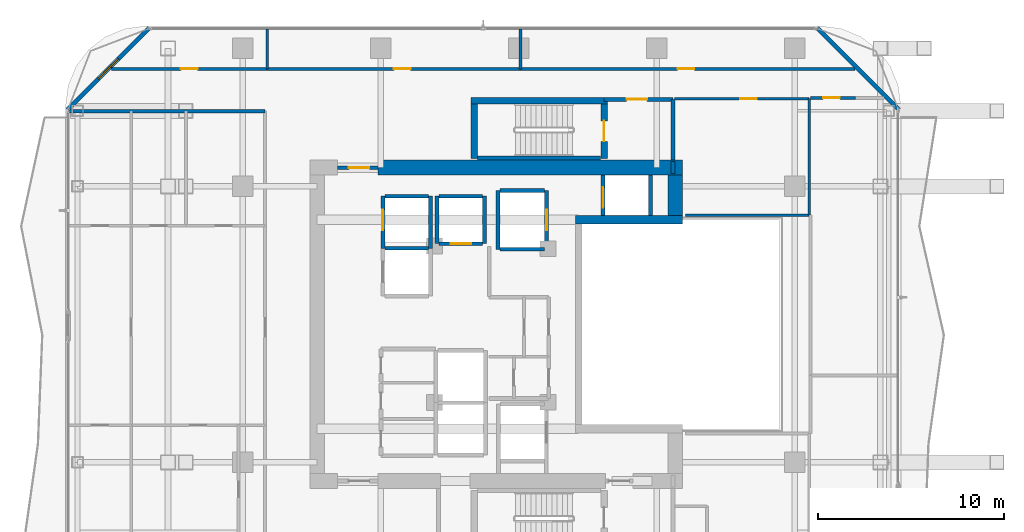
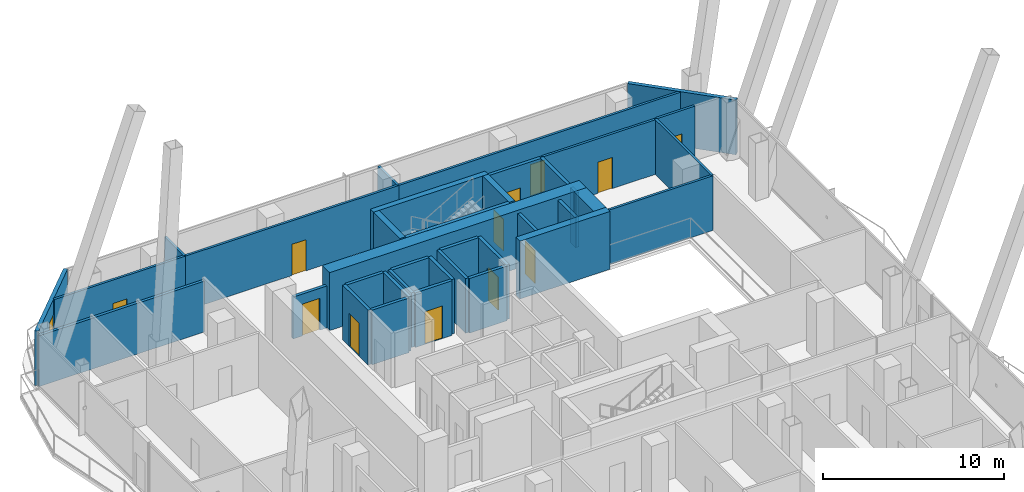
# One storey, part 23 of 27: 37 walls, 12 doors, 1 window, 13 openings.
"""IFC4 building model written with IfcOpenShell, lengths in metres."""

from ifc_helpers import new_model, si_unit, direction, frame, frame_2d, origin, place, context, subcontext, project, spatial, rectangle, extrude, material, layer, layer_set, type_object, element, fill, save


model = new_model("IFC4")

# Units and contexts
model_context = context("Model", 3, precision=1e-05, world=origin(), true_north=direction((0.0, 1.0)))
body_context = subcontext(model_context, "Body", "Model", "MODEL_VIEW")
ifc_project = project(units=[si_unit("LENGTHUNIT", "METRE"), si_unit("AREAUNIT", "SQUARE_METRE"), si_unit("VOLUMEUNIT", "CUBIC_METRE"), si_unit("PLANEANGLEUNIT", "RADIAN"), si_unit("MASSUNIT", "GRAM", prefix="KILO")], contexts=[model_context])

# Site, building, storey
site_placement = place(None, origin())
site = spatial("IfcSite", under=ifc_project, at=site_placement, CompositionType="ELEMENT")
building_placement = place(site_placement, origin())
building = spatial("IfcBuilding", under=site, at=building_placement, Name="Khorvyn Point Tower", CompositionType="ELEMENT")
storey_placement = place(building_placement, frame((0.0, 0.0, 203.10009765625)))
storey = spatial("IfcBuildingStorey", under=building, at=storey_placement, Name="L50", CompositionType="ELEMENT", Elevation=203.10009765625)

# Wall
ifc_material_1 = material(Name="Double acoustic gypsum on twin steel stud", Category="steel")
ifc_layer_1 = layer(ifc_material_1, 0.179931640625)
ifc_layer_set_1 = layer_set([ifc_layer_1], Name="Acoustic Double-Stud Apartment Demising Wall 180")
wall_type_1 = type_object("IfcWallType", Name="Acoustic Double-Stud Apartment Demising Wall 180", PredefinedType="PARTITIONING", material=ifc_layer_set_1)
wall_1_placement = place(storey_placement, frame((-24.1298828125, 11.429931640625, 0.0), z_axis=(0.0, 0.0, 1.0), x_axis=(1.0, 0.0, 0.0)))
element("IfcWall", 1, at=wall_1_placement, inside=storey, type_object=wall_type_1, Name="Wall", PredefinedType="PARTITIONING", context=body_context, shape_type="SweptSolid", body=[
    extrude(rectangle(XDim=10.52978515625, YDim=0.179931640625, at=frame_2d((5.264892578125, 0.0))), origin(), (0.0, 0.0, 1.0), 3.419921875),
])

# Wall, opening, window
ifc_material_2 = material(Name="Pale anodised aluminium rainscreen on steel stud", Category="steel")
ifc_layer_2 = layer(ifc_material_2, 0.239990234375)
ifc_layer_set_2 = layer_set([ifc_layer_2], Name="Anodised Aluminium Insulated Corner Spandrel Wall 240")
wall_type_2 = type_object("IfcWallType", Name="Anodised Aluminium Insulated Corner Spandrel Wall 240", PredefinedType="SOLIDWALL", material=ifc_layer_set_2)
wall_2_placement = place(storey_placement, frame((-24.1923828125, 11.507568359375, 0.0), z_axis=(0.0, 0.0, 1.0), x_axis=(0.707106781187, 0.707106781187, 0.0)))
wall_2 = element("IfcWall", 2, at=wall_2_placement, inside=storey, type_object=wall_type_2, Name="L50 Rounded Corner Wall NW", PredefinedType="SOLIDWALL", context=body_context, shape_type="SweptSolid", body=[
    extrude(rectangle(XDim=6.200927734375, YDim=0.239990234375, at=frame_2d((3.1005859375, 0.0))), origin(), (0.0, 0.0, 1.0), 3.679931640625),
])
opening_1_placement = place(wall_2_placement, frame((2.3505859375, 0.0, 0.800048828125)))
opening_1 = element("IfcOpeningElement", 3, at=opening_1_placement, cuts=wall_2, Name="Opening WN-1518", PredefinedType="OPENING", context=body_context, shape_type="SweptSolid", body=[
    extrude(rectangle(XDim=1.5, YDim=1.85009765625, at=frame_2d((0.75, 0.925048828125))), frame((0.0, 0.1298828125, 0.0), z_axis=(0.0, -1.0, 0.0), x_axis=(1.0, 0.0, 0.0)), (0.0, 0.0, 1.0), 0.260009765625),
])
ifc_material_3 = material(Name="Anodised aluminium 6063-T6 and laminated Low-E glass", Category="aluminium")
window_type = type_object("IfcWindowType", Name="Anodised Aluminium Rounded-Corner Panoramic Window 1500x1850", PartitioningType="SINGLE_PANEL", PredefinedType="WINDOW", material=ifc_material_3)
window_placement = place(opening_1_placement, origin())
window = element("IfcWindow", 4, at=window_placement, inside=storey, type_object=window_type, Name="L50 Corner Panoramic Window NW", OverallHeight=1.85009765625, OverallWidth=1.5, PartitioningType="SINGLE_PANEL", PredefinedType="WINDOW", context=body_context, shape_type="SweptSolid", body=[
    extrude(rectangle(XDim=1.5, YDim=1.85009765625, at=frame_2d((0.75, 0.925048828125))), frame((0.0, 0.030029296875, 0.0), z_axis=(0.0, -1.0, 0.0), x_axis=(1.0, 0.0, 0.0)), (0.0, 0.0, 1.0), 0.06005859375),
])
fill(opening_1, window)

# Walls
wall_3_placement = place(storey_placement, frame((16.007568359375, 15.892333984375, 0.0), z_axis=(0.0, 0.0, 1.0), x_axis=(0.707106781187, -0.707106781187, 0.0)))
element("IfcWall", 5, at=wall_3_placement, inside=storey, type_object=wall_type_2, Name="L50 Rounded Corner Wall NE", PredefinedType="SOLIDWALL", context=body_context, shape_type="SweptSolid", body=[
    extrude(rectangle(XDim=6.200927734375, YDim=0.239990234375, at=frame_2d((3.1005859375, 0.0))), origin(), (0.0, 0.0, 1.0), 3.679931640625),
])
ifc_material_4 = material(Name="Concrete C40/50", Category="concrete")
ifc_layer_3 = layer(ifc_material_4, 0.449951171875)
ifc_layer_set_3 = layer_set([ifc_layer_3], Name="Concrete C40/50 Core Shear Wall 450")
wall_type_3 = type_object("IfcWallType", Name="Concrete C40/50 Core Shear Wall 450", PredefinedType="SHEAR", material=ifc_layer_set_3)
wall_4_placement = place(storey_placement, frame((3.044921875, 5.60009765625, 0.0), z_axis=(0.0, 0.0, 1.0), x_axis=(1.0, 0.0, 0.0)))
element("IfcWall", 6, at=wall_4_placement, inside=storey, type_object=wall_type_3, Name="Wall", PredefinedType="SHEAR", context=body_context, shape_type="SweptSolid", body=[
    extrude(rectangle(XDim=5.755126953125, YDim=0.449951171875, at=frame_2d((2.87744140625, 0.0))), origin(), (0.0, 0.0, 1.0), 3.89990234375),
])

# Wall, opening, door
ifc_layer_4 = layer(ifc_material_4, 0.199951171875)
ifc_layer_set_4 = layer_set([ifc_layer_4], Name="Concrete C40/50 Fire-Lobby Compartment Wall 200")
wall_type_4 = type_object("IfcWallType", Name="Concrete C40/50 Fire-Lobby Compartment Wall 200", PredefinedType="SOLIDWALL", material=ifc_layer_set_4)
wall_5_placement = place(storey_placement, frame((4.580078125, 12.06005859375, 0.0), z_axis=(0.0, 0.0, 1.0), x_axis=(1.0, 0.0, 0.0)))
wall_5 = element("IfcWall", 7, at=wall_5_placement, inside=storey, type_object=wall_type_4, Name="Wall", PredefinedType="SOLIDWALL", context=body_context, shape_type="SweptSolid", body=[
    extrude(rectangle(XDim=3.699951171875, YDim=0.199951171875, at=frame_2d((1.85009765625, 0.0))), origin(), (0.0, 0.0, 1.0), 3.679931640625),
])
opening_2_placement = place(wall_5_placement, frame((1.21240234375, 0.0, 0.0)))
opening_2 = element("IfcOpeningElement", 8, at=opening_2_placement, cuts=wall_5, Name="Opening ID-FL90", PredefinedType="OPENING", context=body_context, shape_type="SweptSolid", body=[
    extrude(rectangle(XDim=1.10009765625, YDim=2.14990234375, at=frame_2d((0.550048828125, 1.074951171875))), frame((0.0, 0.10986328125, 0.0), z_axis=(0.0, -1.0, 0.0), x_axis=(1.0, 0.0, 0.0)), (0.0, 0.0, 1.0), 0.219970703125),
])
ifc_material_5 = material(Name="Galvanised powder-coated steel", Category="steel")
door_type_1 = type_object("IfcDoorType", Name="Fire-Rated Steel Lobby and Stair Door 1100x2150", OperationType="NOTDEFINED", PredefinedType="DOOR", material=ifc_material_5)
door_1_placement = place(opening_2_placement, origin())
door_1 = element("IfcDoor", 9, at=door_1_placement, inside=storey, type_object=door_type_1, Name="Door", OperationType="SINGLE_SWING_LEFT", OverallHeight=2.14990234375, OverallWidth=1.10009765625, PredefinedType="DOOR", context=body_context, shape_type="SweptSolid", body=[
    extrude(rectangle(XDim=1.10009765625, YDim=2.14990234375, at=frame_2d((0.550048828125, 1.074951171875))), frame((0.0, 0.02490234375, 0.0), z_axis=(0.0, -1.0, 0.0), x_axis=(1.0, 0.0, 0.0)), (0.0, 0.0, 1.0), 0.050048828125),
])
fill(opening_2, door_1)

wall_6_placement = place(storey_placement, frame((-9.699951171875, 8.39990234375, 0.0), z_axis=(0.0, 0.0, 1.0), x_axis=(1.0, 0.0, 0.0)))
wall_6 = element("IfcWall", 10, at=wall_6_placement, inside=storey, type_object=wall_type_4, Name="Wall", PredefinedType="SOLIDWALL", context=body_context, shape_type="SweptSolid", body=[
    extrude(rectangle(XDim=2.14990234375, YDim=0.199951171875, at=frame_2d((1.074951171875, 0.0))), origin(), (0.0, 0.0, 1.0), 2.81982421875),
])
opening_3_placement = place(wall_6_placement, frame((0.597900390625, 0.0, 0.0)))
opening_3 = element("IfcOpeningElement", 11, at=opening_3_placement, cuts=wall_6, Name="Opening ID-FL90", PredefinedType="OPENING", context=body_context, shape_type="SweptSolid", body=[
    extrude(rectangle(XDim=1.10009765625, YDim=2.14990234375, at=frame_2d((0.550048828125, 1.074951171875))), frame((0.0, 0.10986328125, 0.0), z_axis=(0.0, -1.0, 0.0), x_axis=(1.0, 0.0, 0.0)), (0.0, 0.0, 1.0), 0.219970703125),
])
door_2_placement = place(opening_3_placement, origin())
door_2 = element("IfcDoor", 12, at=door_2_placement, inside=storey, type_object=door_type_1, Name="Door", OperationType="SINGLE_SWING_LEFT", OverallHeight=2.14990234375, OverallWidth=1.10009765625, PredefinedType="DOOR", context=body_context, shape_type="SweptSolid", body=[
    extrude(rectangle(XDim=1.10009765625, YDim=2.14990234375, at=frame_2d((0.550048828125, 1.074951171875))), frame((0.0, 0.02490234375, 0.0), z_axis=(0.0, -1.0, 0.0), x_axis=(1.0, 0.0, 0.0)), (0.0, 0.0, 1.0), 0.050048828125),
])
fill(opening_3, door_2)

# Walls
wall_7_placement = place(storey_placement, frame((8.280029296875, 8.800048828125, 0.0), z_axis=(0.0, 0.0, 1.0), x_axis=(0.0, 1.0, 0.0)))
element("IfcWall", 13, at=wall_7_placement, inside=storey, type_object=wall_type_4, Name="Wall", PredefinedType="SOLIDWALL", context=body_context, shape_type="SweptSolid", body=[
    extrude(rectangle(XDim=3.260009765625, YDim=0.199951171875, at=frame_2d((1.6298828125, 0.0))), origin(), (0.0, 0.0, 1.0), 3.679931640625),
])
wall_8_placement = place(storey_placement, frame((8.280029296875, 8.10009765625, 0.0), z_axis=(0.0, 0.0, 1.0), x_axis=(0.0, 1.0, 0.0)))
element("IfcWall", 14, at=wall_8_placement, inside=storey, type_object=wall_type_4, Name="Wall", PredefinedType="SOLIDWALL", context=body_context, shape_type="SweptSolid", body=[
    extrude(rectangle(XDim=0.625, YDim=0.199951171875, at=frame_2d((0.3125, 0.0))), origin(), (0.0, 0.0, 1.0), 3.679931640625),
])
ifc_layer_5 = layer(ifc_material_4, 0.25)
ifc_layer_set_5 = layer_set([ifc_layer_5], Name="Concrete C40/50 Stair Inner Cheek Structural Wall 250")
wall_type_5 = type_object("IfcWallType", Name="Concrete C40/50 Stair Inner Cheek Structural Wall 250", PredefinedType="SHEAR", material=ifc_layer_set_5)
wall_9_placement = place(storey_placement, frame((-2.199951171875, 8.91259765625, 0.0), z_axis=(0.0, 0.0, 1.0), x_axis=(1.0, 0.0, 0.0)))
element("IfcWall", 15, at=wall_9_placement, inside=storey, type_object=wall_type_5, Name="Wall", PredefinedType="SHEAR", context=body_context, shape_type="SweptSolid", body=[
    extrude(rectangle(XDim=6.599853515625, YDim=0.22509765625, at=frame_2d((3.2998046875, 0.0))), origin(), (0.0, 0.0, 1.0), 3.89990234375),
])
ifc_layer_6 = layer(ifc_material_4, 0.35009765625)
ifc_layer_set_6 = layer_set([ifc_layer_6], Name="Concrete C40/50 Stair Shaft Structural Wall 350")
wall_type_6 = type_object("IfcWallType", Name="Concrete C40/50 Stair Shaft Structural Wall 350", PredefinedType="SHEAR", material=ifc_layer_set_6)
wall_10_placement = place(storey_placement, frame((-2.554931640625, 12.0, 0.0), z_axis=(0.0, 0.0, 1.0), x_axis=(1.0, 0.0, 0.0)))
element("IfcWall", 16, at=wall_10_placement, inside=storey, type_object=wall_type_6, Name="L50 ST-02 North Shaft Wall", PredefinedType="SHEAR", context=body_context, shape_type="SweptSolid", body=[
    extrude(rectangle(XDim=7.309814453125, YDim=0.35009765625, at=frame_2d((3.65478515625, 0.0))), origin(), (0.0, 0.0, 1.0), 3.89990234375),
])
wall_11_placement = place(storey_placement, frame((-2.3798828125, 8.89990234375, 0.0), z_axis=(0.0, 0.0, 1.0), x_axis=(0.0, 1.0, 0.0)))
element("IfcWall", 17, at=wall_11_placement, inside=storey, type_object=wall_type_6, Name="L50 ST-02 West Shaft Wall", PredefinedType="SHEAR", context=body_context, shape_type="SweptSolid", body=[
    extrude(rectangle(XDim=2.925048828125, YDim=0.35009765625, at=frame_2d((1.46240234375, 0.0))), origin(), (0.0, 0.0, 1.0), 3.89990234375),
])

# Wall, opening, door
wall_12_placement = place(storey_placement, frame((4.580078125, 11.824951171875, 0.0), z_axis=(0.0, 0.0, 1.0), x_axis=(0.0, -1.0, 0.0)))
wall_12 = element("IfcWall", 18, at=wall_12_placement, inside=storey, type_object=wall_type_6, Name="L50 ST-02 East Landing Door Wall", PredefinedType="SHEAR", context=body_context, shape_type="SweptSolid", body=[
    extrude(rectangle(XDim=2.925048828125, YDim=0.35009765625, at=frame_2d((1.46240234375, 0.0))), origin(), (0.0, 0.0, 1.0), 3.89990234375),
])
opening_4_placement = place(wall_12_placement, frame((0.91259765625, 0.0, 0.0)))
opening_4 = element("IfcOpeningElement", 19, at=opening_4_placement, cuts=wall_12, Name="Opening ID-FL90", PredefinedType="OPENING", context=body_context, shape_type="SweptSolid", body=[
    extrude(rectangle(XDim=1.10009765625, YDim=2.14990234375, at=frame_2d((0.550048828125, 1.074951171875))), frame((0.0, 0.18505859375, 0.0), z_axis=(0.0, -1.0, 0.0), x_axis=(1.0, 0.0, 0.0)), (0.0, 0.0, 1.0), 0.3701171875),
])
door_3_placement = place(opening_4_placement, origin())
door_3 = element("IfcDoor", 20, at=door_3_placement, inside=storey, type_object=door_type_1, Name="L50 ST-02 Smokeproof Landing Door", OperationType="SINGLE_SWING_LEFT", OverallHeight=2.14990234375, OverallWidth=1.10009765625, PredefinedType="DOOR", context=body_context, shape_type="SweptSolid", body=[
    extrude(rectangle(XDim=1.10009765625, YDim=2.14990234375, at=frame_2d((0.550048828125, 1.074951171875))), frame((0.0, 0.02490234375, 0.0), z_axis=(0.0, -1.0, 0.0), x_axis=(1.0, 0.0, 0.0)), (0.0, 0.0, 1.0), 0.050048828125),
])
fill(opening_4, door_3)

# Wall
ifc_layer_7 = layer(ifc_material_4, 0.199951171875)
ifc_layer_set_7 = layer_set([ifc_layer_7], Name="Concrete C40/50 Structural Hoistway and Stair Shaft Wall 200")
wall_type_7 = type_object("IfcWallType", Name="Concrete C40/50 Structural Hoistway and Stair Shaft Wall 200", PredefinedType="SHEAR", material=ifc_layer_set_7)
wall_13_placement = place(storey_placement, frame((-7.175048828125, 4.074951171875, 0.0), z_axis=(0.0, 0.0, 1.0), x_axis=(1.0, 0.0, 0.0)))
element("IfcWall", 21, at=wall_13_placement, inside=storey, type_object=wall_type_7, Name="Wall", PredefinedType="SHEAR", context=body_context, shape_type="SweptSolid", body=[
    extrude(rectangle(XDim=2.35009765625, YDim=0.199951171875, at=frame_2d((1.175048828125, 0.0))), origin(), (0.0, 0.0, 1.0), 3.679931640625),
])

# Wall, opening, door
wall_14_placement = place(storey_placement, frame((-7.27490234375, 4.074951171875, 0.0), z_axis=(0.0, 0.0, 1.0), x_axis=(0.0, 1.0, 0.0)))
wall_14 = element("IfcWall", 22, at=wall_14_placement, inside=storey, type_object=wall_type_7, Name="Wall", PredefinedType="SHEAR", context=body_context, shape_type="SweptSolid", body=[
    extrude(rectangle(XDim=2.800048828125, YDim=0.199951171875, at=frame_2d((1.39990234375, 0.0))), origin(), (0.0, 0.0, 1.0), 3.679931640625),
])
opening_5_placement = place(wall_14_placement, frame((0.97509765625, 0.0, 0.0)))
opening_5 = element("IfcOpeningElement", 23, at=opening_5_placement, cuts=wall_14, Name="Opening LD-1122", PredefinedType="OPENING", context=body_context, shape_type="SweptSolid", body=[
    extrude(rectangle(XDim=1.10009765625, YDim=2.199951171875, at=frame_2d((0.550048828125, 1.10009765625))), frame((0.0, 0.10986328125, 0.0), z_axis=(0.0, -1.0, 0.0), x_axis=(1.0, 0.0, 0.0)), (0.0, 0.0, 1.0), 0.219970703125),
])
ifc_material_6 = material(Name="Stainless steel 1.4301", Category="steel")
door_type_2 = type_object("IfcDoorType", Name="Stainless Steel Automatic Sliding Lift Landing Door 1100x2200", OperationType="SLIDING_TO_LEFT", PredefinedType="DOOR", material=ifc_material_6)
door_4_placement = place(opening_5_placement, origin())
door_4 = element("IfcDoor", 24, at=door_4_placement, inside=storey, type_object=door_type_2, Name="L50 RM-02 Sliding Lift Landing Door", OperationType="SLIDING_TO_LEFT", OverallHeight=2.199951171875, OverallWidth=1.10009765625, PredefinedType="DOOR", context=body_context, shape_type="SweptSolid", body=[
    extrude(rectangle(XDim=1.10009765625, YDim=2.199951171875, at=frame_2d((0.550048828125, 1.10009765625))), frame((0.0, 0.02490234375, 0.0), z_axis=(0.0, -1.0, 0.0), x_axis=(1.0, 0.0, 0.0)), (0.0, 0.0, 1.0), 0.050048828125),
])
fill(opening_5, door_4)

# Walls
wall_15_placement = place(storey_placement, frame((-4.72509765625, 4.074951171875, 0.0), z_axis=(0.0, 0.0, 1.0), x_axis=(0.0, 1.0, 0.0)))
element("IfcWall", 25, at=wall_15_placement, inside=storey, type_object=wall_type_7, Name="Wall", PredefinedType="SHEAR", context=body_context, shape_type="SweptSolid", body=[
    extrude(rectangle(XDim=2.800048828125, YDim=0.199951171875, at=frame_2d((1.39990234375, 0.0))), origin(), (0.0, 0.0, 1.0), 3.679931640625),
])
wall_16_placement = place(storey_placement, frame((-7.175048828125, 6.875, 0.0), z_axis=(0.0, 0.0, 1.0), x_axis=(1.0, 0.0, 0.0)))
element("IfcWall", 26, at=wall_16_placement, inside=storey, type_object=wall_type_7, Name="Wall", PredefinedType="SHEAR", context=body_context, shape_type="SweptSolid", body=[
    extrude(rectangle(XDim=2.35009765625, YDim=0.199951171875, at=frame_2d((1.175048828125, 0.0))), origin(), (0.0, 0.0, 1.0), 3.679931640625),
])
for number, where, z_axis, x_axis, name in (
    (27, (-4.375, 4.324951171875, 0.0), (0.0, 0.0, 1.0), (0.0, 1.0, 0.0), "Wall"),
    (28, (-1.824951171875, 4.324951171875, 0.0), (0.0, 0.0, 1.0), (0.0, 1.0, 0.0), "Wall"),
):
    element("IfcWall", number, at=place(storey_placement, frame(where, z_axis=z_axis, x_axis=x_axis)), inside=storey, type_object=wall_type_7, Name=name, PredefinedType="SHEAR", context=body_context, shape_type="SweptSolid", body=[
        extrude(rectangle(XDim=2.550048828125, YDim=0.199951171875, at=frame_2d((1.27490234375, 0.0))), origin(), (0.0, 0.0, 1.0), 3.679931640625),
    ])

# Wall, opening, door
wall_17_placement = place(storey_placement, frame((-4.27490234375, 4.324951171875, 0.0), z_axis=(0.0, 0.0, 1.0), x_axis=(1.0, 0.0, 0.0)))
wall_17 = element("IfcWall", 29, at=wall_17_placement, inside=storey, type_object=wall_type_7, Name="Wall", PredefinedType="SHEAR", context=body_context, shape_type="SweptSolid", body=[
    extrude(rectangle(XDim=2.349853515625, YDim=0.199951171875, at=frame_2d((1.1748046875, 0.0))), origin(), (0.0, 0.0, 1.0), 3.679931640625),
])
opening_6_placement = place(wall_17_placement, frame((0.625, 0.0, 0.0)))
opening_6 = element("IfcOpeningElement", 30, at=opening_6_placement, cuts=wall_17, Name="Opening LD-1122", PredefinedType="OPENING", context=body_context, shape_type="SweptSolid", body=[
    extrude(rectangle(XDim=1.10009765625, YDim=2.199951171875, at=frame_2d((0.550048828125, 1.10009765625))), frame((0.0, 0.10986328125, 0.0), z_axis=(0.0, -1.0, 0.0), x_axis=(1.0, 0.0, 0.0)), (0.0, 0.0, 1.0), 0.219970703125),
])
door_5_placement = place(opening_6_placement, origin())
door_5 = element("IfcDoor", 31, at=door_5_placement, inside=storey, type_object=door_type_2, Name="L50 RM-03 Sliding Lift Landing Door", OperationType="SLIDING_TO_LEFT", OverallHeight=2.199951171875, OverallWidth=1.10009765625, PredefinedType="DOOR", context=body_context, shape_type="SweptSolid", body=[
    extrude(rectangle(XDim=1.10009765625, YDim=2.199951171875, at=frame_2d((0.550048828125, 1.10009765625))), frame((0.0, 0.02490234375, 0.0), z_axis=(0.0, -1.0, 0.0), x_axis=(1.0, 0.0, 0.0)), (0.0, 0.0, 1.0), 0.050048828125),
])
fill(opening_6, door_5)

# Walls
wall_18_placement = place(storey_placement, frame((-4.27490234375, 6.875, 0.0), z_axis=(0.0, 0.0, 1.0), x_axis=(1.0, 0.0, 0.0)))
element("IfcWall", 32, at=wall_18_placement, inside=storey, type_object=wall_type_7, Name="Wall", PredefinedType="SHEAR", context=body_context, shape_type="SweptSolid", body=[
    extrude(rectangle(XDim=2.349853515625, YDim=0.199951171875, at=frame_2d((1.1748046875, 0.0))), origin(), (0.0, 0.0, 1.0), 3.679931640625),
])
wall_19_placement = place(storey_placement, frame((-1.10009765625, 4.02490234375, 0.0), z_axis=(0.0, 0.0, 1.0), x_axis=(0.0, 1.0, 0.0)))
element("IfcWall", 33, at=wall_19_placement, inside=storey, type_object=wall_type_7, Name="Wall", PredefinedType="SHEAR", context=body_context, shape_type="SweptSolid", body=[
    extrude(rectangle(XDim=3.150146484375, YDim=0.199951171875, at=frame_2d((1.5751953125, 0.0))), origin(), (0.0, 0.0, 1.0), 3.679931640625),
])

# Wall, opening, door
wall_20_placement = place(storey_placement, frame((1.5, 4.02490234375, 0.0), z_axis=(0.0, 0.0, 1.0), x_axis=(0.0, 1.0, 0.0)))
wall_20 = element("IfcWall", 34, at=wall_20_placement, inside=storey, type_object=wall_type_7, Name="Wall", PredefinedType="SHEAR", context=body_context, shape_type="SweptSolid", body=[
    extrude(rectangle(XDim=3.150146484375, YDim=0.199951171875, at=frame_2d((1.5751953125, 0.0))), origin(), (0.0, 0.0, 1.0), 3.679931640625),
])
opening_7_placement = place(wall_20_placement, frame((1.02490234375, 0.0, 0.0)))
opening_7 = element("IfcOpeningElement", 35, at=opening_7_placement, cuts=wall_20, Name="Opening LD-1122", PredefinedType="OPENING", context=body_context, shape_type="SweptSolid", body=[
    extrude(rectangle(XDim=1.10009765625, YDim=2.199951171875, at=frame_2d((0.550048828125, 1.10009765625))), frame((0.0, 0.10986328125, 0.0), z_axis=(0.0, -1.0, 0.0), x_axis=(1.0, 0.0, 0.0)), (0.0, 0.0, 1.0), 0.219970703125),
])
door_6_placement = place(opening_7_placement, origin())
door_6 = element("IfcDoor", 36, at=door_6_placement, inside=storey, type_object=door_type_2, Name="L50 SV-01 Sliding Lift Landing Door", OperationType="SLIDING_TO_LEFT", OverallHeight=2.199951171875, OverallWidth=1.10009765625, PredefinedType="DOOR", context=body_context, shape_type="SweptSolid", body=[
    extrude(rectangle(XDim=1.10009765625, YDim=2.199951171875, at=frame_2d((0.550048828125, 1.10009765625))), frame((0.0, 0.02490234375, 0.0), z_axis=(0.0, -1.0, 0.0), x_axis=(1.0, 0.0, 0.0)), (0.0, 0.0, 1.0), 0.050048828125),
])
fill(opening_7, door_6)

# Walls
for number, where, z_axis, x_axis, name in (
    (37, (-1.0, 4.02490234375, 0.0), (0.0, 0.0, 1.0), (1.0, 0.0, 0.0), "Wall"),
    (38, (-1.0, 7.175048828125, 0.0), (0.0, 0.0, 1.0), (1.0, 0.0, 0.0), "Wall"),
):
    element("IfcWall", number, at=place(storey_placement, frame(where, z_axis=z_axis, x_axis=x_axis)), inside=storey, type_object=wall_type_7, Name=name, PredefinedType="SHEAR", context=body_context, shape_type="SweptSolid", body=[
        extrude(rectangle(XDim=2.39990234375, YDim=0.199951171875, at=frame_2d((1.199951171875, 0.0))), origin(), (0.0, 0.0, 1.0), 3.679931640625),
    ])

# Wall, opening, door
wall_21_placement = place(storey_placement, frame((4.52490234375, 5.824951171875, 0.0), z_axis=(0.0, 0.0, 1.0), x_axis=(0.0, 1.0, 0.0)))
wall_21 = element("IfcWall", 39, at=wall_21_placement, inside=storey, type_object=wall_type_7, Name="Wall", PredefinedType="SHEAR", context=body_context, shape_type="SweptSolid", body=[
    extrude(rectangle(XDim=2.175048828125, YDim=0.199951171875, at=frame_2d((1.08740234375, 0.0))), origin(), (0.0, 0.0, 1.0), 3.679931640625),
])
opening_8_placement = place(wall_21_placement, frame((0.425048828125, 0.0, 0.0)))
opening_8 = element("IfcOpeningElement", 40, at=opening_8_placement, cuts=wall_21, Name="Opening LD-1122", PredefinedType="OPENING", context=body_context, shape_type="SweptSolid", body=[
    extrude(rectangle(XDim=1.10009765625, YDim=2.199951171875, at=frame_2d((0.550048828125, 1.10009765625))), frame((0.0, 0.10986328125, 0.0), z_axis=(0.0, -1.0, 0.0), x_axis=(1.0, 0.0, 0.0)), (0.0, 0.0, 1.0), 0.219970703125),
])
door_7_placement = place(opening_8_placement, origin())
door_7 = element("IfcDoor", 41, at=door_7_placement, inside=storey, type_object=door_type_2, Name="L50 FF-02 Sliding Lift Landing Door", OperationType="SLIDING_TO_LEFT", OverallHeight=2.199951171875, OverallWidth=1.10009765625, PredefinedType="DOOR", context=body_context, shape_type="SweptSolid", body=[
    extrude(rectangle(XDim=1.10009765625, YDim=2.199951171875, at=frame_2d((0.550048828125, 1.10009765625))), frame((0.0, 0.02490234375, 0.0), z_axis=(0.0, -1.0, 0.0), x_axis=(1.0, 0.0, 0.0)), (0.0, 0.0, 1.0), 0.050048828125),
])
fill(opening_8, door_7)

# Walls
wall_22_placement = place(storey_placement, frame((7.074951171875, 5.824951171875, 0.0), z_axis=(0.0, 0.0, 1.0), x_axis=(0.0, 1.0, 0.0)))
element("IfcWall", 42, at=wall_22_placement, inside=storey, type_object=wall_type_7, Name="Wall", PredefinedType="SHEAR", context=body_context, shape_type="SweptSolid", body=[
    extrude(rectangle(XDim=2.175048828125, YDim=0.199951171875, at=frame_2d((1.08740234375, 0.0))), origin(), (0.0, 0.0, 1.0), 3.679931640625),
])
ifc_material_7 = material(Name="Concrete C45/55", Category="concrete")
ifc_layer_8 = layer(ifc_material_7, 0.800048828125)
ifc_layer_set_8 = layer_set([ifc_layer_8], Name="Concrete C45/55 Core Shear Wall 800")
wall_type_8 = type_object("IfcWallType", Name="Concrete C45/55 Core Shear Wall 800", PredefinedType="SHEAR", material=ifc_layer_set_8)
wall_23_placement = place(storey_placement, frame((-7.550048828125, 8.39990234375, 0.0), z_axis=(0.0, 0.0, 1.0), x_axis=(1.0, 0.0, 0.0)))
element("IfcWall", 43, at=wall_23_placement, inside=storey, type_object=wall_type_8, Name="Wall", PredefinedType="SHEAR", context=body_context, shape_type="SweptSolid", body=[
    extrude(rectangle(XDim=16.35009765625, YDim=0.800048828125, at=frame_2d((8.175048828125, 0.0))), origin(), (0.0, 0.0, 1.0), 3.89990234375),
])
wall_24_placement = place(storey_placement, frame((8.39990234375, 5.824951171875, 0.0), z_axis=(0.0, 0.0, 1.0), x_axis=(0.0, 1.0, 0.0)))
element("IfcWall", 44, at=wall_24_placement, inside=storey, type_object=wall_type_8, Name="Wall", PredefinedType="SHEAR", context=body_context, shape_type="SweptSolid", body=[
    extrude(rectangle(XDim=2.175048828125, YDim=0.800048828125, at=frame_2d((1.08740234375, 0.0))), origin(), (0.0, 0.0, 1.0), 3.89990234375),
])

# Wall, opening, door
ifc_material_8 = material(Name="Moisture-resistant gypsum and cement board", Category="gypsum")
ifc_layer_9 = layer(ifc_material_8, 0.14990234375)
ifc_layer_set_9 = layer_set([ifc_layer_9], Name="Moisture-Resistant Wet-Room Partition Wall 150")
wall_type_9 = type_object("IfcWallType", Name="Moisture-Resistant Wet-Room Partition Wall 150", PredefinedType="PARTITIONING", material=ifc_layer_set_9)
wall_25_placement = place(storey_placement, frame((8.360107421875, 12.10009765625, 0.0), z_axis=(0.0, 0.0, 1.0), x_axis=(1.0, 0.0, 0.0)))
wall_25 = element("IfcWall", 45, at=wall_25_placement, inside=storey, type_object=wall_type_9, Name="Wall", PredefinedType="PARTITIONING", context=body_context, shape_type="SweptSolid", body=[
    extrude(rectangle(XDim=7.219970703125, YDim=0.14990234375, at=frame_2d((3.60986328125, 0.0))), origin(), (0.0, 0.0, 1.0), 3.679931640625),
])
opening_9_placement = place(wall_25_placement, frame((3.512939453125, 0.0, 0.0)))
opening_9 = element("IfcOpeningElement", 46, at=opening_9_placement, cuts=wall_25, Name="Opening ID-RM90", PredefinedType="OPENING", context=body_context, shape_type="SweptSolid", body=[
    extrude(rectangle(XDim=0.89990234375, YDim=2.10009765625, at=frame_2d((0.449951171875, 1.050048828125))), frame((0.0, 0.0849609375, 0.0), z_axis=(0.0, -1.0, 0.0), x_axis=(1.0, 0.0, 0.0)), (0.0, 0.0, 1.0), 0.169921875),
])
ifc_material_9 = material(Name="Engineered oak veneer timber", Category="wood")
door_type_3 = type_object("IfcDoorType", Name="Flush Engineered Timber Room Door 900x2100", OperationType="NOTDEFINED", PredefinedType="DOOR", material=ifc_material_9)
door_8_placement = place(opening_9_placement, origin())
door_8 = element("IfcDoor", 47, at=door_8_placement, inside=storey, type_object=door_type_3, Name="Door", OperationType="SINGLE_SWING_RIGHT", OverallHeight=2.10009765625, OverallWidth=0.89990234375, PredefinedType="DOOR", context=body_context, shape_type="SweptSolid", body=[
    extrude(rectangle(XDim=0.89990234375, YDim=2.10009765625, at=frame_2d((0.449951171875, 1.050048828125))), frame((0.0, 0.02490234375, 0.0), z_axis=(0.0, -1.0, 0.0), x_axis=(1.0, 0.0, 0.0)), (0.0, 0.0, 1.0), 0.050048828125),
])
fill(opening_9, door_8)

wall_26_placement = place(storey_placement, frame((-21.830078125, 13.699951171875, 0.0), z_axis=(0.0, 0.0, 1.0), x_axis=(1.0, 0.0, 0.0)))
wall_26 = element("IfcWall", 48, at=wall_26_placement, inside=storey, type_object=wall_type_9, Name="Wall", PredefinedType="PARTITIONING", context=body_context, shape_type="SweptSolid", body=[
    extrude(rectangle(XDim=8.34716796875, YDim=0.14990234375, at=frame_2d((4.173583984375, 0.0))), origin(), (0.0, 0.0, 1.0), 3.679931640625),
])
opening_10_placement = place(wall_26_placement, frame((3.723388671875, 0.0, 0.0)))
opening_10 = element("IfcOpeningElement", 49, at=opening_10_placement, cuts=wall_26, Name="Opening ID-RM90", PredefinedType="OPENING", context=body_context, shape_type="SweptSolid", body=[
    extrude(rectangle(XDim=0.89990234375, YDim=2.10009765625, at=frame_2d((0.449951171875, 1.050048828125))), frame((0.0, 0.0849609375, 0.0), z_axis=(0.0, -1.0, 0.0), x_axis=(1.0, 0.0, 0.0)), (0.0, 0.0, 1.0), 0.169921875),
])
door_9_placement = place(opening_10_placement, origin())
door_9 = element("IfcDoor", 50, at=door_9_placement, inside=storey, type_object=door_type_3, Name="Door", OperationType="SINGLE_SWING_LEFT", OverallHeight=2.10009765625, OverallWidth=0.89990234375, PredefinedType="DOOR", context=body_context, shape_type="SweptSolid", body=[
    extrude(rectangle(XDim=0.89990234375, YDim=2.10009765625, at=frame_2d((0.449951171875, 1.050048828125))), frame((0.0, 0.02490234375, 0.0), z_axis=(0.0, -1.0, 0.0), x_axis=(1.0, 0.0, 0.0)), (0.0, 0.0, 1.0), 0.050048828125),
])
fill(opening_10, door_9)

wall_27_placement = place(storey_placement, frame((-13.48291015625, 13.699951171875, 0.0), z_axis=(0.0, 0.0, 1.0), x_axis=(1.0, 0.0, 0.0)))
wall_27 = element("IfcWall", 51, at=wall_27_placement, inside=storey, type_object=wall_type_9, Name="Wall", PredefinedType="PARTITIONING", context=body_context, shape_type="SweptSolid", body=[
    extrude(rectangle(XDim=13.579833984375, YDim=0.14990234375, at=frame_2d((6.7900390625, 0.0))), origin(), (0.0, 0.0, 1.0), 3.679931640625),
])
opening_11_placement = place(wall_27_placement, frame((6.787841796875, 0.0, 0.0)))
opening_11 = element("IfcOpeningElement", 52, at=opening_11_placement, cuts=wall_27, Name="Opening ID-RM90", PredefinedType="OPENING", context=body_context, shape_type="SweptSolid", body=[
    extrude(rectangle(XDim=0.89990234375, YDim=2.10009765625, at=frame_2d((0.449951171875, 1.050048828125))), frame((0.0, 0.0849609375, 0.0), z_axis=(0.0, -1.0, 0.0), x_axis=(1.0, 0.0, 0.0)), (0.0, 0.0, 1.0), 0.169921875),
])
door_10_placement = place(opening_11_placement, origin())
door_10 = element("IfcDoor", 53, at=door_10_placement, inside=storey, type_object=door_type_3, Name="Door", OperationType="SINGLE_SWING_RIGHT", OverallHeight=2.10009765625, OverallWidth=0.89990234375, PredefinedType="DOOR", context=body_context, shape_type="SweptSolid", body=[
    extrude(rectangle(XDim=0.89990234375, YDim=2.10009765625, at=frame_2d((0.449951171875, 1.050048828125))), frame((0.0, 0.02490234375, 0.0), z_axis=(0.0, -1.0, 0.0), x_axis=(1.0, 0.0, 0.0)), (0.0, 0.0, 1.0), 0.050048828125),
])
fill(opening_11, door_10)

wall_28_placement = place(storey_placement, frame((0.096923828125, 13.699951171875, 0.0), z_axis=(0.0, 0.0, 1.0), x_axis=(1.0, 0.0, 0.0)))
wall_28 = element("IfcWall", 54, at=wall_28_placement, inside=storey, type_object=wall_type_9, Name="Wall", PredefinedType="PARTITIONING", context=body_context, shape_type="SweptSolid", body=[
    extrude(rectangle(XDim=17.93310546875, YDim=0.14990234375, at=frame_2d((8.966552734375, 0.0))), origin(), (0.0, 0.0, 1.0), 3.679931640625),
])
opening_12_placement = place(wall_28_placement, frame((8.426513671875, 0.0, 0.0)))
opening_12 = element("IfcOpeningElement", 55, at=opening_12_placement, cuts=wall_28, Name="Opening ID-RM90", PredefinedType="OPENING", context=body_context, shape_type="SweptSolid", body=[
    extrude(rectangle(XDim=0.89990234375, YDim=2.10009765625, at=frame_2d((0.449951171875, 1.050048828125))), frame((0.0, 0.0849609375, 0.0), z_axis=(0.0, -1.0, 0.0), x_axis=(1.0, 0.0, 0.0)), (0.0, 0.0, 1.0), 0.169921875),
])
door_11_placement = place(opening_12_placement, origin())
door_11 = element("IfcDoor", 56, at=door_11_placement, inside=storey, type_object=door_type_3, Name="Door", OperationType="SINGLE_SWING_LEFT", OverallHeight=2.10009765625, OverallWidth=0.89990234375, PredefinedType="DOOR", context=body_context, shape_type="SweptSolid", body=[
    extrude(rectangle(XDim=0.89990234375, YDim=2.10009765625, at=frame_2d((0.449951171875, 1.050048828125))), frame((0.0, 0.02490234375, 0.0), z_axis=(0.0, -1.0, 0.0), x_axis=(1.0, 0.0, 0.0)), (0.0, 0.0, 1.0), 0.050048828125),
])
fill(opening_12, door_11)

wall_29_placement = place(storey_placement, frame((15.64990234375, 12.139892578125, 0.0), z_axis=(0.0, 0.0, 1.0), x_axis=(1.0, 0.0, 0.0)))
wall_29 = element("IfcWall", 57, at=wall_29_placement, inside=storey, type_object=wall_type_9, Name="Wall", PredefinedType="PARTITIONING", context=body_context, shape_type="SweptSolid", body=[
    extrude(rectangle(XDim=2.420166015625, YDim=0.14990234375, at=frame_2d((1.2099609375, 0.0))), origin(), (0.0, 0.0, 1.0), 3.679931640625),
])
opening_13_placement = place(wall_29_placement, frame((0.67431640625, 0.0, 0.0)))
opening_13 = element("IfcOpeningElement", 58, at=opening_13_placement, cuts=wall_29, Name="Opening ID-RM90", PredefinedType="OPENING", context=body_context, shape_type="SweptSolid", body=[
    extrude(rectangle(XDim=0.89990234375, YDim=2.10009765625, at=frame_2d((0.449951171875, 1.050048828125))), frame((0.0, 0.0849609375, 0.0), z_axis=(0.0, -1.0, 0.0), x_axis=(1.0, 0.0, 0.0)), (0.0, 0.0, 1.0), 0.169921875),
])
door_12_placement = place(opening_13_placement, origin())
door_12 = element("IfcDoor", 59, at=door_12_placement, inside=storey, type_object=door_type_3, Name="Door", OperationType="SINGLE_SWING_RIGHT", OverallHeight=2.10009765625, OverallWidth=0.89990234375, PredefinedType="DOOR", context=body_context, shape_type="SweptSolid", body=[
    extrude(rectangle(XDim=0.89990234375, YDim=2.10009765625, at=frame_2d((0.449951171875, 1.050048828125))), frame((0.0, 0.02490234375, 0.0), z_axis=(0.0, -1.0, 0.0), x_axis=(1.0, 0.0, 0.0)), (0.0, 0.0, 1.0), 0.050048828125),
])
fill(opening_13, door_12)

# Walls
wall_30_placement = place(storey_placement, frame((15.580078125, 5.85009765625, 0.0), z_axis=(0.0, 0.0, 1.0), x_axis=(0.0, 1.0, 0.0)))
element("IfcWall", 60, at=wall_30_placement, inside=storey, type_object=wall_type_9, Name="Wall", PredefinedType="PARTITIONING", context=body_context, shape_type="SweptSolid", body=[
    extrude(rectangle(XDim=6.25, YDim=0.14990234375, at=frame_2d((3.125, 0.0))), origin(), (0.0, 0.0, 1.0), 3.679931640625),
])
wall_31_placement = place(storey_placement, frame((8.9599609375, 5.85009765625, 0.0), z_axis=(0.0, 0.0, 1.0), x_axis=(1.0, 0.0, 0.0)))
element("IfcWall", 61, at=wall_31_placement, inside=storey, type_object=wall_type_9, Name="Wall", PredefinedType="PARTITIONING", context=body_context, shape_type="SweptSolid", body=[
    extrude(rectangle(XDim=6.6201171875, YDim=0.14990234375, at=frame_2d((3.31005859375, 0.0))), origin(), (0.0, 0.0, 1.0), 3.679931640625),
])
for number, where, z_axis, x_axis, name in (
    (62, (-13.48291015625, 13.699951171875, 0.0), (0.0, 0.0, 1.0), (0.0, 1.0, 0.0), "Wall"),
    (63, (0.096923828125, 13.699951171875, 0.0), (0.0, 0.0, 1.0), (0.0, 1.0, 0.0), "Wall"),
):
    element("IfcWall", number, at=place(storey_placement, frame(where, z_axis=z_axis, x_axis=x_axis)), inside=storey, type_object=wall_type_9, Name=name, PredefinedType="PARTITIONING", context=body_context, shape_type="SweptSolid", body=[
        extrude(rectangle(XDim=2.130126953125, YDim=0.14990234375, at=frame_2d((1.06494140625, 0.0))), origin(), (0.0, 0.0, 1.0), 3.679931640625),
    ])

save(model, "model.ifc")
